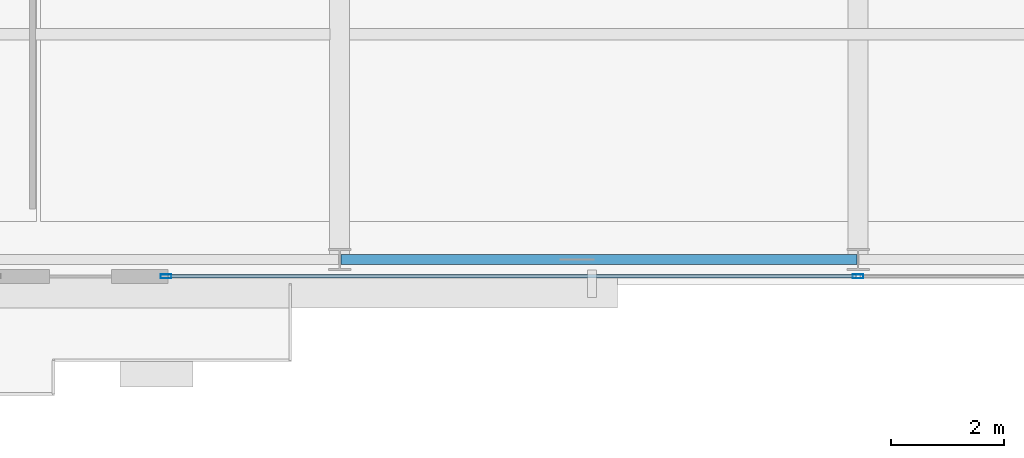
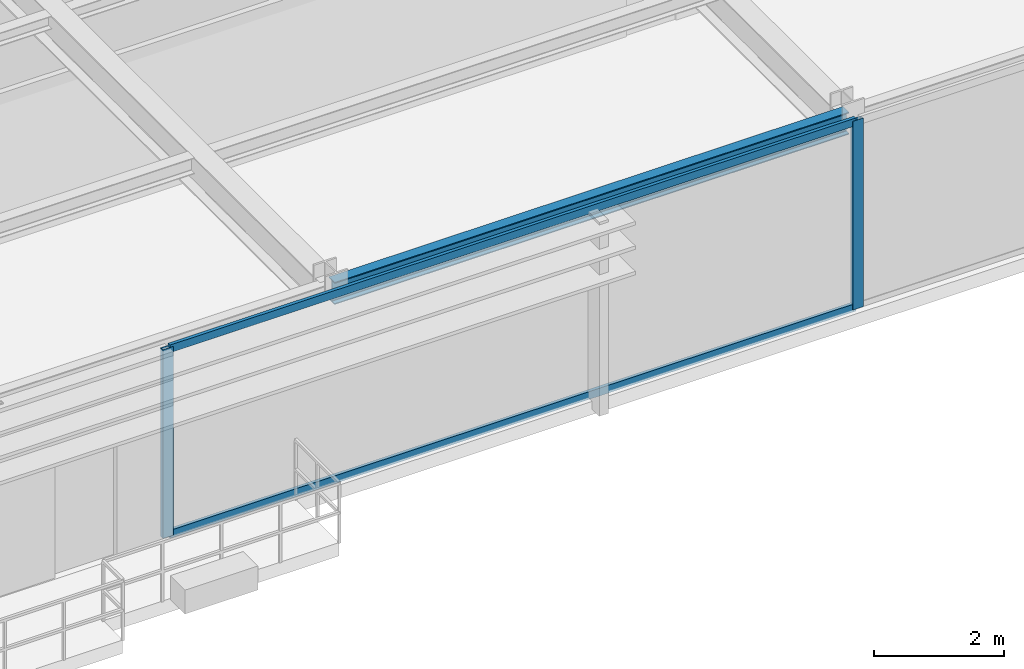
# One storey, part 6 of 34: 4 members, 1 beam, 1 element without a shape of its own.
"""IFC4 building model written with IfcOpenShell, lengths in metres."""

import ifcopenshell
import ifcopenshell.guid

model = None  # the IFC model being written
_history = None  # IfcOwnerHistory: only IFC2X3 demands one
_inside = {}  # id of a spatial element -> (the spatial element, [elements in it])
_under = {}  # id of a project, library or spatial element -> (it, [spatial elements below it])
_declared = {}  # id of a project -> (the project, [libraries it declares])
_typed = {}  # id of a type object -> (the type object, [elements of that type])
_made_of = {}  # id of a material, layer set ... -> (it, [elements and type objects made of it])


def new_model(schema):
    """Start an empty IFC model of exactly this schema.

    Asked for "IFC4X3", IfcOpenShell would pick the latest addendum, in which some entities
    have other attributes; the version numbers below select the first issue.
    IFC2X3 requires an IfcOwnerHistory on every rooted entity: one is made here for all.
    """
    global model, _history
    if schema == "IFC4X3":
        model = ifcopenshell.file(schema_version=(4, 3, 0, 0))
    else:
        model = ifcopenshell.file(schema=schema)
    _inside.clear()
    _under.clear()
    _declared.clear()
    _typed.clear()
    _made_of.clear()
    _history = None
    if model.schema == "IFC2X3":
        org = make("IfcOrganization", Name="unknown")
        user = make(
            "IfcPersonAndOrganization",
            ThePerson=make("IfcPerson", FamilyName="unknown"),
            TheOrganization=org,
        )
        app = make(
            "IfcApplication",
            ApplicationDeveloper=org,
            Version="unknown",
            ApplicationFullName="unknown",
            ApplicationIdentifier="unknown",
        )
        _history = make(
            "IfcOwnerHistory",
            OwningUser=user,
            OwningApplication=app,
            ChangeAction="ADDED",
            CreationDate=0,
        )
    return model


def make(cls, **values):
    """One entity of the class cls with the attributes given. An attribute that is None is left unset."""
    return model.create_entity(
        cls, **{name: value for name, value in values.items() if value is not None}
    )


def rooted(cls, **values):
    """An entity with a GlobalId (a new one), such as an element, a storey or a relation."""
    return make(cls, GlobalId=ifcopenshell.guid.new(), OwnerHistory=_history, **values)


def si_unit(unit_type, name, prefix=None):
    """IfcSIUnit, for example si_unit("LENGTHUNIT", "METRE", prefix="MILLI")."""
    return make("IfcSIUnit", UnitType=unit_type, Prefix=prefix, Name=name)


def assignment(units):
    """IfcUnitAssignment: the units of a project."""
    return None if units is None else make("IfcUnitAssignment", Units=units)


def point(xyz):
    """IfcCartesianPoint."""
    return None if xyz is None else make("IfcCartesianPoint", Coordinates=xyz)


def direction(xyz):
    """IfcDirection."""
    return None if xyz is None else make("IfcDirection", DirectionRatios=xyz)


def frame(location, z_axis=None, x_axis=None):
    """IfcAxis2Placement3D, a coordinate frame: its origin and axes. An axis left out is left unset."""
    return make(
        "IfcAxis2Placement3D",
        Location=point(location),
        Axis=direction(z_axis),
        RefDirection=direction(x_axis),
    )


def frame_2d(location, x_axis=None):
    """IfcAxis2Placement2D, a coordinate frame in the plane: its origin and x axis."""
    return make(
        "IfcAxis2Placement2D", Location=point(location), RefDirection=direction(x_axis)
    )


def origin():
    """The frame at (0, 0, 0) with its axes left unset."""
    return frame((0.0, 0.0, 0.0))


def origin_2d():
    """The frame at (0, 0) in the plane with its x axis left unset."""
    return frame_2d((0.0, 0.0))


def place(relative_to, where):
    """IfcLocalPlacement: puts the frame where relative to a parent placement (None: the world)."""
    return make(
        "IfcLocalPlacement", PlacementRelTo=relative_to, RelativePlacement=where
    )


def context(
    kind, dimensions, precision=None, world=None, true_north=None, identifier=None
):
    """IfcGeometricRepresentationContext, for example the 3D "Model" context."""
    return make(
        "IfcGeometricRepresentationContext",
        ContextIdentifier=identifier,
        ContextType=kind,
        CoordinateSpaceDimension=dimensions,
        Precision=precision,
        WorldCoordinateSystem=world,
        TrueNorth=true_north,
    )


def subcontext(parent, identifier, kind, view, scale=None):
    """IfcGeometricRepresentationSubContext, for example "Body" below "Model"."""
    return make(
        "IfcGeometricRepresentationSubContext",
        ContextIdentifier=identifier,
        ContextType=kind,
        ParentContext=parent,
        TargetScale=scale,
        TargetView=view,
    )


def project(units=None, contexts=None):
    """IfcProject with its units and contexts."""
    return rooted(
        "IfcProject",
        Name="project",
        RepresentationContexts=contexts,
        UnitsInContext=assignment(units),
    )


def spatial(cls, under=None, at=None, **own):
    """A site, building, storey or space (cls), placed at a placement, below another one or the project."""
    s = rooted(cls, ObjectPlacement=at, **own)
    if under is not None:
        _under.setdefault(under.id(), (under, []))[1].append(s)
    return s


def profile(cls, at=None, kind="AREA", **sizes):
    """A parametric profile (cls). Its sizes go by their IFC names, for example OverallWidth=200.0."""
    return make(cls, ProfileType=kind, Position=at, **sizes)


def hollow_rectangle(**sizes):
    """IfcRectangleHollowProfileDef."""
    return profile("IfcRectangleHollowProfileDef", **sizes)


def i_section(**sizes):
    """IfcIShapeProfileDef."""
    return profile("IfcIShapeProfileDef", **sizes)


def extrude(swept, where, along, depth):
    """IfcExtrudedAreaSolid: the profile swept, set in the frame where, extruded along a direction by depth."""
    return make(
        "IfcExtrudedAreaSolid",
        SweptArea=swept,
        Position=where,
        ExtrudedDirection=direction(along),
        Depth=depth,
    )


def shape(context_of_items, identifier, shape_type, items):
    """IfcShapeRepresentation: the items that make up one representation, for example the "Body"."""
    return make(
        "IfcShapeRepresentation",
        ContextOfItems=context_of_items,
        RepresentationIdentifier=identifier,
        RepresentationType=shape_type,
        Items=items,
    )


def source(mapping_origin, context_of_items, identifier, shape_type, items):
    """IfcRepresentationMap: a shape defined once, which mapped items show again and again."""
    return make(
        "IfcRepresentationMap",
        MappingOrigin=mapping_origin,
        MappedRepresentation=shape(context_of_items, identifier, shape_type, items),
    )


def transform(
    local_origin,
    x_axis=None,
    y_axis=None,
    z_axis=None,
    scale=None,
    scale2=None,
    scale3=None,
    uniform=True,
):
    """IfcCartesianTransformationOperator3D, or its non-uniform kind. x_axis, y_axis, z_axis: its Axis1, 2, 3."""
    if uniform:
        return make(
            "IfcCartesianTransformationOperator3D",
            Axis1=direction(x_axis),
            Axis2=direction(y_axis),
            LocalOrigin=point(local_origin),
            Scale=scale,
            Axis3=direction(z_axis),
        )
    return make(
        "IfcCartesianTransformationOperator3DnonUniform",
        Axis1=direction(x_axis),
        Axis2=direction(y_axis),
        LocalOrigin=point(local_origin),
        Scale=scale,
        Axis3=direction(z_axis),
        Scale2=scale2,
        Scale3=scale3,
    )


def mapped(mapping_source, mapping_target):
    """IfcMappedItem: shows the shape of a source again, moved by a transform."""
    return make(
        "IfcMappedItem", MappingSource=mapping_source, MappingTarget=mapping_target
    )


def material(Name=None, Category=None):
    """IfcMaterial."""
    return make("IfcMaterial", Name=Name, Category=Category)


def layer(
    of_material, thickness, ventilated=None, Name=None, Category=None, Priority=None
):
    """IfcMaterialLayer: one layer of a wall or slab, of a material (None: an air gap)."""
    return make(
        "IfcMaterialLayer",
        Material=of_material,
        LayerThickness=thickness,
        IsVentilated=ventilated,
        Name=Name,
        Category=Category,
        Priority=Priority,
    )


def layer_set(layers, Name=None):
    """IfcMaterialLayerSet."""
    return make("IfcMaterialLayerSet", MaterialLayers=layers, LayerSetName=Name)


def material_profile(
    of_material, cross_section, Name=None, Category=None, Priority=None
):
    """IfcMaterialProfile: a cross section and its material."""
    return make(
        "IfcMaterialProfile",
        Name=Name,
        Material=of_material,
        Profile=cross_section,
        Priority=Priority,
        Category=Category,
    )


def profile_set(profiles, Name=None, composite=None):
    """IfcMaterialProfileSet."""
    return make(
        "IfcMaterialProfileSet",
        Name=Name,
        MaterialProfiles=profiles,
        CompositeProfile=composite,
    )


def made_of(thing, what):
    """Note that an element or type object is made of a material, layer set ...; save() writes the relation."""
    if what is not None:
        _made_of.setdefault(what.id(), (what, []))[1].append(thing)
    return thing


def type_object(cls, material=None, **own):
    """A type object (cls), such as IfcWallType, which elements share."""
    return made_of(rooted(cls, **own), material)


def type_shapes(of_type, sources):
    """Give a type object the sources (RepresentationMaps) that its elements show as mapped items."""
    of_type.RepresentationMaps = sources


def element(
    cls,
    number,
    at=None,
    inside=None,
    cuts=None,
    type_object=None,
    material=None,
    context=None,
    identifier="Body",
    shape_type=None,
    held_by="IfcProductDefinitionShape",
    body=None,
    shapes=None,
    **own,
):
    """One element of the class cls, such as IfcWall. Its Tag is "e" and its number.

    at: its placement. inside: the storey or other place that contains it. cuts: it is an
    opening in that element (IfcRelVoidsElement). A single representation is given by context,
    identifier, shape_type and body (its items); several are given by shapes. held_by: the class
    of the entity that holds the representations. save() writes the other relations.
    """
    e = rooted(cls, Tag="e%d" % number, ObjectPlacement=at, **own)
    if body is not None:
        shapes = [shape(context, identifier, shape_type, body)]
    if shapes is not None:
        e.Representation = make(held_by, Representations=shapes)
    if inside is not None:
        _inside.setdefault(inside.id(), (inside, []))[1].append(e)
    if cuts is not None:
        rooted(
            "IfcRelVoidsElement", RelatingBuildingElement=cuts, RelatedOpeningElement=e
        )
    if type_object is not None:
        _typed.setdefault(type_object.id(), (type_object, []))[1].append(e)
    return made_of(e, material)


def aggregate(whole, parts):
    """IfcRelAggregates: a whole, such as a stair, and the parts it consists of."""
    return rooted("IfcRelAggregates", RelatingObject=whole, RelatedObjects=parts)


def save(model, path):
    """Write the relations noted so far, then the file.

    IfcRelAggregates (storeys below a building ...), IfcRelContainedInSpatialStructure (elements
    in a storey), IfcRelDefinesByType, IfcRelAssociatesMaterial and IfcRelDeclares: one each for
    every whole, place, type object, material and project.
    """
    for whole, parts in _under.values():
        aggregate(whole, parts)
    for where, things in _inside.values():
        rooted(
            "IfcRelContainedInSpatialStructure",
            RelatedElements=things,
            RelatingStructure=where,
        )
    for kind, things in _typed.values():
        rooted("IfcRelDefinesByType", RelatedObjects=things, RelatingType=kind)
    for what, things in _made_of.values():
        rooted("IfcRelAssociatesMaterial", RelatedObjects=things, RelatingMaterial=what)
    for by, libraries in _declared.values():
        rooted("IfcRelDeclares", RelatingContext=by, RelatedDefinitions=libraries)
    model.write(path)


model = new_model("IFC4")

# Units and contexts
model_context = context("Model", 3, precision=1e-05, world=origin(), true_north=direction((0.0, 1.0)))
body_context = subcontext(model_context, "Body", "Model", "MODEL_VIEW")
ifc_project = project(units=[si_unit("LENGTHUNIT", "METRE"), si_unit("AREAUNIT", "SQUARE_METRE"), si_unit("VOLUMEUNIT", "CUBIC_METRE"), si_unit("PLANEANGLEUNIT", "RADIAN"), si_unit("MASSUNIT", "GRAM", prefix="KILO")], contexts=[model_context])

# Site, building, storey
site_placement = place(None, origin())
site = spatial("IfcSite", under=ifc_project, at=site_placement, CompositionType="ELEMENT")
building_placement = place(site_placement, origin())
building = spatial("IfcBuilding", under=site, at=building_placement, Name="Varnel Quay Broadcast Tower", CompositionType="ELEMENT")
storey_placement = place(building_placement, frame((0.0, 0.0, 110.60009765625)))
storey = spatial("IfcBuildingStorey", under=building, at=storey_placement, Name="L26", CompositionType="ELEMENT", Elevation=110.60009765625)

# Beam
ifc_material_1 = material(Name="Structural Steel CSA G40.21 350W", Category="steel")
ifc_material_profile_1 = material_profile(ifc_material_1, i_section(OverallWidth=0.180908203125, OverallDepth=0.4169921875, WebThickness=0.010986328125, FlangeThickness=0.018310546875, FilletRadius=0.011962890625, at=origin_2d()), Name="W410X85")
ifc_profile_set_1 = profile_set([ifc_material_profile_1], Name="Structural Steel CSA G40.21 350W")
beam_type = type_object("IfcBeamType", Name="Beam_W410X85", PredefinedType="SPANDREL", material=ifc_profile_set_1)
shared_shape_1 = source(origin(), body_context, "Body", "SweptSolid", [
    extrude(i_section(OverallWidth=0.180908203125, OverallDepth=0.4169921875, WebThickness=0.010986328125, FlangeThickness=0.018310546875, FilletRadius=0.011962890625, at=origin_2d()), origin(), (0.0, 0.0, 1.0), 9.159912109375),
])
type_shapes(beam_type, [shared_shape_1])
beam_placement = place(storey_placement, frame((24.820068359375, 4.64990234375, 3.34130859375), z_axis=(1.0, 0.0, 0.0), x_axis=(0.0, 1.0, 0.0)))
element("IfcBeam", 1, at=beam_placement, inside=storey, type_object=beam_type, Name="L26 South Spandrel TC-S2-TC-S3", PredefinedType="SPANDREL", context=body_context, shape_type="MappedRepresentation", body=[
    mapped(shared_shape_1, transform((0.0, 0.0, 0.0), x_axis=(1.0, 0.0, 0.0), y_axis=(0.0, 1.0, 0.0), z_axis=(0.0, 0.0, 1.0), scale=1.0)),
])

# Curtain wall, members
ifc_material_2 = material(Name="Anodised Bronze Aluminium 6063-T6", Category="aluminium")
ifc_layer = layer(ifc_material_2, 0.18994140625, Name="Anodised Bronze Aluminium 6063-T6")
ifc_layer_set = layer_set([ifc_layer], Name="Anodised Bronze Aluminium 6063-T6")
curtain_wall_type = type_object("IfcCurtainWallType", Name="CW_LowerTower", PredefinedType="NOTDEFINED", material=ifc_layer_set)
curtain_wall_placement = place(storey_placement, origin())
curtain_wall = element("IfcCurtainWall", 2, at=curtain_wall_placement, inside=storey, type_object=curtain_wall_type, Name="L26 South Unitised Curtain Wall 2", PredefinedType="NOTDEFINED")
ifc_material_profile_2 = material_profile(ifc_material_2, hollow_rectangle(XDim=0.06005859375, YDim=0.14501953125, WallThickness=0.00341796875, at=origin_2d()), Name="ALU60X145X3.5")
ifc_profile_set_2 = profile_set([ifc_material_profile_2], Name="Anodised Bronze Aluminium 6063-T6")
member_type_1 = type_object("IfcMemberType", Name="Tran_CWS-02", PredefinedType="USERDEFINED", material=ifc_profile_set_2)
shared_shape_2 = source(origin(), body_context, "Body", "SweptSolid", [
    extrude(hollow_rectangle(XDim=0.06005859375, YDim=0.14501953125, WallThickness=0.00341796875, at=origin_2d()), origin(), (0.0, 0.0, 1.0), 12.215087890625),
])
type_shapes(member_type_1, [shared_shape_2])
member_1_placement = place(storey_placement, frame((21.75, 4.35009765625, 0.02978515625), z_axis=(1.0, 0.0, 0.0), x_axis=(0.0, 1.0, 0.0)))
member_1 = element("IfcMember", 3, at=member_1_placement, type_object=member_type_1, Name="CWS-02 transom 1.1", ObjectType="TRANSOM", PredefinedType="USERDEFINED", context=body_context, shape_type="MappedRepresentation", body=[
    mapped(shared_shape_2, transform((0.0, 0.0, 0.0), x_axis=(1.0, 0.0, 0.0), y_axis=(0.0, 1.0, 0.0), z_axis=(0.0, 0.0, 1.0), scale=1.0)),
])
member_2_placement = place(storey_placement, frame((21.75, 4.35009765625, 3.52001953125), z_axis=(1.0, 0.0, 0.0), x_axis=(0.0, 1.0, 0.0)))
member_2 = element("IfcMember", 4, at=member_2_placement, type_object=member_type_1, Name="CWS-02 transom 1.2", ObjectType="TRANSOM", PredefinedType="USERDEFINED", context=body_context, shape_type="MappedRepresentation", body=[
    mapped(shared_shape_2, transform((0.0, 0.0, 0.0), x_axis=(1.0, 0.0, 0.0), y_axis=(0.0, 1.0, 0.0), z_axis=(0.0, 0.0, 1.0), scale=1.0)),
])
ifc_material_profile_3 = material_profile(ifc_material_2, hollow_rectangle(XDim=0.070068359375, YDim=0.18994140625, WallThickness=0.00390625, at=origin_2d()), Name="ALU70X190X4")
ifc_profile_set_3 = profile_set([ifc_material_profile_3], Name="Anodised Bronze Aluminium 6063-T6")
member_type_2 = type_object("IfcMemberType", Name="Mull_CWS-02", PredefinedType="MULLION", material=ifc_profile_set_3)
shared_shape_3 = source(origin(), body_context, "Body", "SweptSolid", [
    extrude(hollow_rectangle(XDim=0.070068359375, YDim=0.18994140625, WallThickness=0.00390625, at=origin_2d()), origin(), (0.0, 0.0, 1.0), 3.5498046875),
])
type_shapes(member_type_2, [shared_shape_3])
member_3_placement = place(storey_placement, frame((21.715087890625, 4.35009765625, 0.0), z_axis=(0.0, 0.0, 1.0), x_axis=(0.0, 1.0, 0.0)))
member_3 = element("IfcMember", 5, at=member_3_placement, type_object=member_type_2, Name="CWS-02 mullion 1", PredefinedType="MULLION", context=body_context, shape_type="MappedRepresentation", body=[
    mapped(shared_shape_3, transform((0.0, 0.0, 0.0), x_axis=(1.0, 0.0, 0.0), y_axis=(0.0, 1.0, 0.0), z_axis=(0.0, 0.0, 1.0), scale=1.0)),
])
member_4_placement = place(storey_placement, frame((34.0, 4.35009765625, 0.0), z_axis=(0.0, 0.0, 1.0), x_axis=(0.0, 1.0, 0.0)))
member_4 = element("IfcMember", 6, at=member_4_placement, type_object=member_type_2, Name="CWS-02 mullion 2", PredefinedType="MULLION", context=body_context, shape_type="MappedRepresentation", body=[
    mapped(shared_shape_3, transform((0.0, 0.0, 0.0), x_axis=(1.0, 0.0, 0.0), y_axis=(0.0, 1.0, 0.0), z_axis=(0.0, 0.0, 1.0), scale=1.0)),
])
aggregate(curtain_wall, [member_3, member_4, member_1, member_2])

save(model, "model.ifc")
